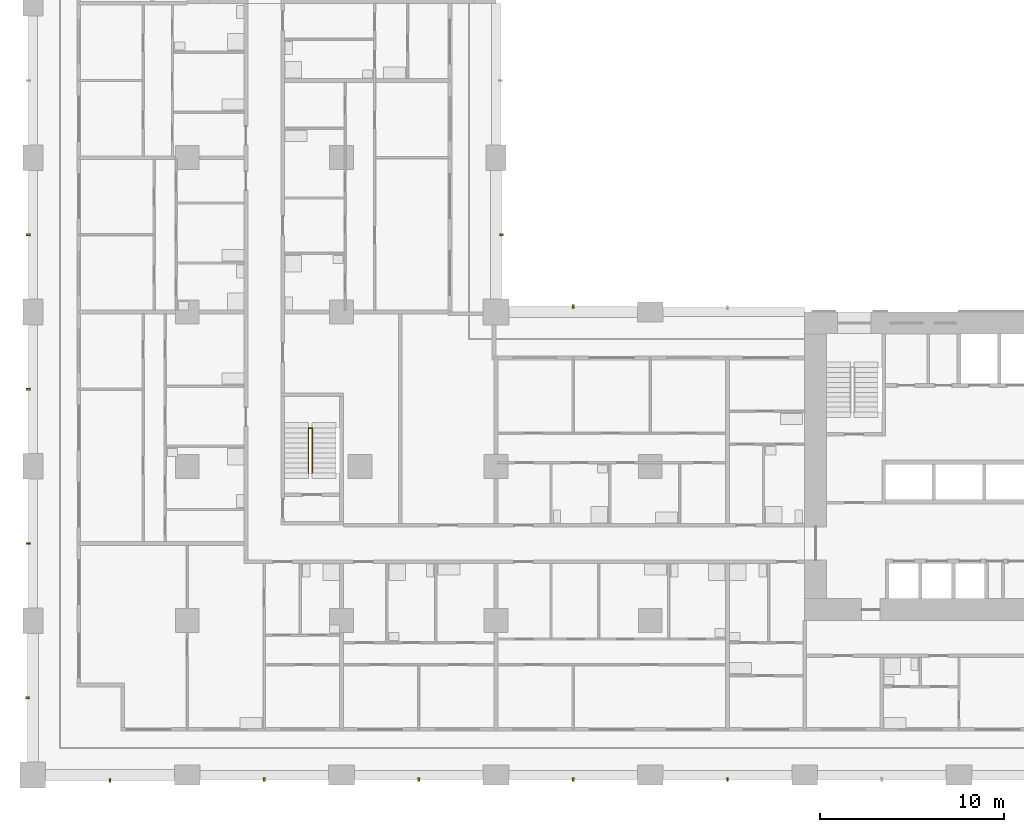
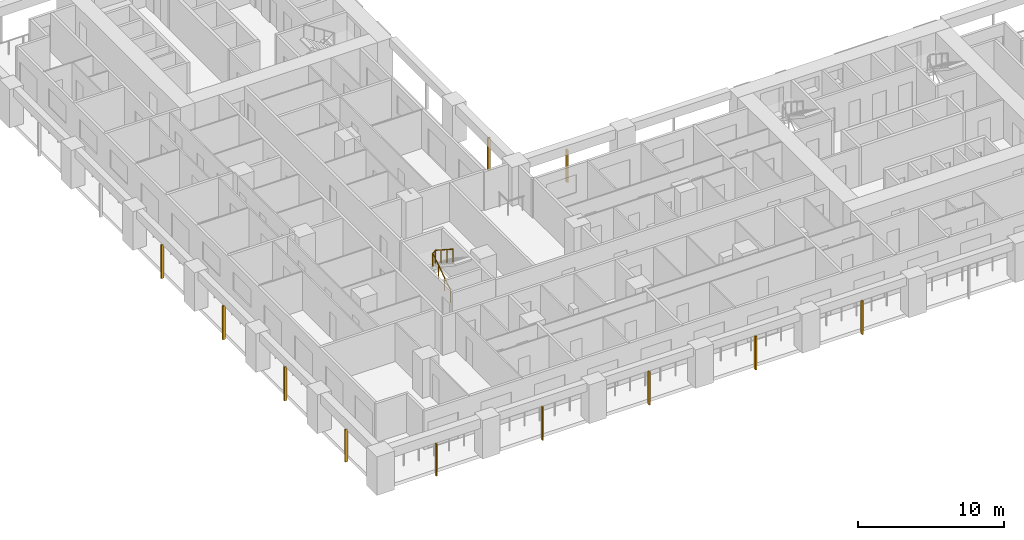
# One storey, part 12 of 19: 11 shading devices, 1 railing.
"""IFC4 building model written with IfcOpenShell, lengths in metres."""

from ifc_helpers import new_model, si_unit, direction, frame, origin, origin_2d, place, context, subcontext, project, spatial, rectangle, circle, extrude, material, material_profile, profile_set, type_object, element, save


model = new_model("IFC4")

# Units and contexts
model_context = context("Model", 3, precision=1e-05, world=origin(), true_north=direction((0.0, 1.0)))
body_context = subcontext(model_context, "Body", "Model", "MODEL_VIEW")
ifc_project = project(units=[si_unit("LENGTHUNIT", "METRE"), si_unit("AREAUNIT", "SQUARE_METRE"), si_unit("VOLUMEUNIT", "CUBIC_METRE"), si_unit("PLANEANGLEUNIT", "RADIAN"), si_unit("MASSUNIT", "GRAM", prefix="KILO")], contexts=[model_context])

# Site, building, storey
site_placement = place(None, origin())
site = spatial("IfcSite", under=ifc_project, at=site_placement, CompositionType="ELEMENT")
building_placement = place(site_placement, origin())
building = spatial("IfcBuilding", under=site, at=building_placement, Name="Vermilion Gate Residences", CompositionType="ELEMENT")
storey_placement = place(building_placement, frame((0.0, 0.0, 49.699951171875)))
storey = spatial("IfcBuildingStorey", under=building, at=storey_placement, Name="L11", CompositionType="ELEMENT", Elevation=49.699951171875)

# Railing
ifc_material_1 = material(Name="Steel S355", Category="steel")
railing_type = type_object("IfcRailingType", Name="STAIR GUARD 1100 STEEL", PredefinedType="GUARDRAIL", material=ifc_material_1)
railing_placement = place(storey_placement, frame((15.0, 16.449951171875, 0.175048828125)))
element("IfcRailing", 1, at=railing_placement, inside=storey, type_object=railing_type, Name="Stair well guard STC1-11", PredefinedType="GUARDRAIL", context=body_context, shape_type="SweptSolid", body=[
    extrude(circle(Radius=0.02392578125, at=origin_2d()), frame((0.0, 0.0, 1.076171875), z_axis=(0.0, 0.839153699163, 0.543894354798), x_axis=(-1.0, 0.0, 0.0)), (0.0, 0.0, 1.0), 2.895751953125),
    extrude(circle(Radius=0.02392578125, at=origin_2d()), frame((0.0, 2.429931640625, 2.65087890625), z_axis=(0.752405939678, 0.0, 0.658699705433), x_axis=(0.0, 1.0, 0.0)), (0.0, 0.0, 1.0), 0.265869140625),
    extrude(circle(Radius=0.02392578125, at=origin_2d()), frame((0.199951171875, 2.429931640625, 2.826171875), z_axis=(0.0, -0.839153699163, 0.543894354798), x_axis=(1.0, 0.0, 0.0)), (0.0, 0.0, 1.0), 2.895751953125),
    extrude(circle(Radius=0.02099609375, at=origin_2d()), origin(), (0.0, 0.0, 1.0), 1.052001953125),
    extrude(circle(Radius=0.02099609375, at=origin_2d()), frame((0.0, 0.81005859375, 0.52490234375)), (0.0, 0.0, 1.0), 1.052001953125),
    extrude(circle(Radius=0.02099609375, at=origin_2d()), frame((0.0, 1.619873046875, 1.050048828125)), (0.0, 0.0, 1.0), 1.052001953125),
    extrude(circle(Radius=0.02099609375, at=origin_2d()), frame((0.0, 2.429931640625, 1.574951171875)), (0.0, 0.0, 1.0), 1.052001953125),
    extrude(circle(Radius=0.02099609375, at=origin_2d()), frame((0.199951171875, 2.429931640625, 1.75)), (0.0, 0.0, 1.0), 1.052001953125),
    extrude(circle(Radius=0.02099609375, at=origin_2d()), frame((0.199951171875, 1.619873046875, 2.27490234375)), (0.0, 0.0, 1.0), 1.052001953125),
    extrude(circle(Radius=0.02099609375, at=origin_2d()), frame((0.199951171875, 0.81005859375, 2.800048828125)), (0.0, 0.0, 1.0), 1.052001953125),
    extrude(circle(Radius=0.02099609375, at=origin_2d()), frame((0.199951171875, 0.0, 3.324951171875)), (0.0, 0.0, 1.0), 1.052001953125),
])

# Shading devices
ifc_material_2 = material(Name="Extruded terracotta", Category="masonry")
ifc_material_profile = material_profile(ifc_material_2, rectangle(XDim=0.199951171875, YDim=0.10009765625, at=origin_2d()), Name="BAGUETTE 100 X 200")
ifc_profile_set = profile_set([ifc_material_profile], Name="Extruded terracotta")
shading_device_type = type_object("IfcShadingDeviceType", Name="TERRACOTTA BAGUETTE 100 X 200", PredefinedType="JALOUSIE", material=ifc_profile_set)
shading_device_placement = place(storey_placement, frame((4.199951171875, -0.300048828125, -0.280029296875), z_axis=(0.0, 0.0, 1.0), x_axis=(0.0, 1.0, 0.0)))
element("IfcShadingDevice", 2, at=shading_device_placement, inside=storey, type_object=shading_device_type, Name="BAGUETTE", PredefinedType="JALOUSIE", context=body_context, shape_type="SweptSolid", body=[
    extrude(rectangle(XDim=0.199951171875, YDim=0.10009765625, at=origin_2d()), origin(), (0.0, 0.0, 1.0), 2.7001953125),
])
for number, where, z_axis, x_axis, name in (
    (3, (12.60009765625, -0.25, -0.280029296875), (0.0, 0.0, 1.0), (0.0, 1.0, 0.0), "BAGUETTE"),
    (4, (21.0, -0.25, -0.280029296875), (0.0, 0.0, 1.0), (0.0, 1.0, 0.0), "BAGUETTE"),
    (5, (29.39990234375, -0.25, -0.280029296875), (0.0, 0.0, 1.0), (0.0, 1.0, 0.0), "BAGUETTE"),
    (6, (37.800048828125, -0.25, -0.280029296875), (0.0, 0.0, 1.0), (0.0, 1.0, 0.0), "BAGUETTE"),
):
    element("IfcShadingDevice", number, at=place(storey_placement, frame(where, z_axis=z_axis, x_axis=x_axis)), inside=storey, type_object=shading_device_type, Name=name, PredefinedType="JALOUSIE", context=body_context, shape_type="SweptSolid", body=[
        extrude(rectangle(XDim=0.199951171875, YDim=0.10009765625, at=origin_2d()), origin(), (0.0, 0.0, 1.0), 2.800048828125),
    ])
for number, where, z_axis, x_axis, name in (
    (7, (29.39990234375, 25.5, -0.280029296875), (0.0, 0.0, 1.0), (0.0, -1.0, 0.0), "BAGUETTE"),
    (8, (25.5, 29.39990234375, -0.280029296875), (0.0, 0.0, 1.0), (-1.0, 0.0, 0.0), "BAGUETTE"),
    (9, (-0.300048828125, 4.199951171875, -0.280029296875), (0.0, 0.0, 1.0), (1.0, 0.0, 0.0), "BAGUETTE"),
):
    element("IfcShadingDevice", number, at=place(storey_placement, frame(where, z_axis=z_axis, x_axis=x_axis)), inside=storey, type_object=shading_device_type, Name=name, PredefinedType="JALOUSIE", context=body_context, shape_type="SweptSolid", body=[
        extrude(rectangle(XDim=0.199951171875, YDim=0.10009765625, at=origin_2d()), origin(), (0.0, 0.0, 1.0), 2.7001953125),
    ])
for number, where, z_axis, x_axis, name in (
    (10, (-0.25, 12.60009765625, -0.280029296875), (0.0, 0.0, 1.0), (1.0, 0.0, 0.0), "BAGUETTE"),
    (11, (-0.25, 21.0, -0.280029296875), (0.0, 0.0, 1.0), (1.0, 0.0, 0.0), "BAGUETTE"),
    (12, (-0.25, 29.39990234375, -0.280029296875), (0.0, 0.0, 1.0), (1.0, 0.0, 0.0), "BAGUETTE"),
):
    element("IfcShadingDevice", number, at=place(storey_placement, frame(where, z_axis=z_axis, x_axis=x_axis)), inside=storey, type_object=shading_device_type, Name=name, PredefinedType="JALOUSIE", context=body_context, shape_type="SweptSolid", body=[
        extrude(rectangle(XDim=0.199951171875, YDim=0.10009765625, at=origin_2d()), origin(), (0.0, 0.0, 1.0), 2.800048828125),
    ])

save(model, "model.ifc")
